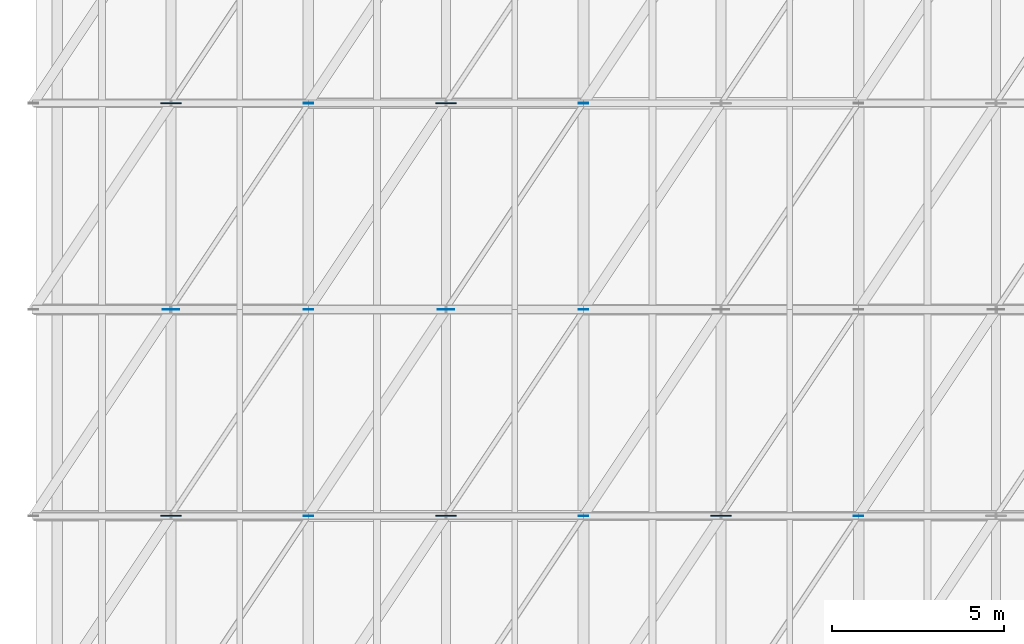
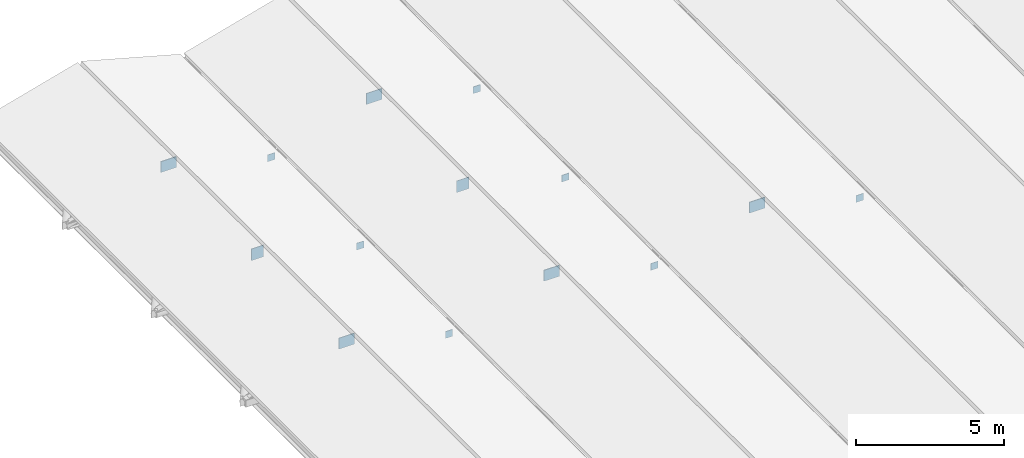
# One storey, part 14 of 27: 14 plates.
"""IFC4 building model written with IfcOpenShell, lengths in metres."""

import ifcopenshell
import ifcopenshell.guid

model = None  # the IFC model being written
_history = None  # IfcOwnerHistory: only IFC2X3 demands one
_inside = {}  # id of a spatial element -> (the spatial element, [elements in it])
_under = {}  # id of a project, library or spatial element -> (it, [spatial elements below it])
_declared = {}  # id of a project -> (the project, [libraries it declares])
_typed = {}  # id of a type object -> (the type object, [elements of that type])
_made_of = {}  # id of a material, layer set ... -> (it, [elements and type objects made of it])


def new_model(schema):
    """Start an empty IFC model of exactly this schema.

    Asked for "IFC4X3", IfcOpenShell would pick the latest addendum, in which some entities
    have other attributes; the version numbers below select the first issue.
    IFC2X3 requires an IfcOwnerHistory on every rooted entity: one is made here for all.
    """
    global model, _history
    if schema == "IFC4X3":
        model = ifcopenshell.file(schema_version=(4, 3, 0, 0))
    else:
        model = ifcopenshell.file(schema=schema)
    _inside.clear()
    _under.clear()
    _declared.clear()
    _typed.clear()
    _made_of.clear()
    _history = None
    if model.schema == "IFC2X3":
        org = make("IfcOrganization", Name="unknown")
        user = make(
            "IfcPersonAndOrganization",
            ThePerson=make("IfcPerson", FamilyName="unknown"),
            TheOrganization=org,
        )
        app = make(
            "IfcApplication",
            ApplicationDeveloper=org,
            Version="unknown",
            ApplicationFullName="unknown",
            ApplicationIdentifier="unknown",
        )
        _history = make(
            "IfcOwnerHistory",
            OwningUser=user,
            OwningApplication=app,
            ChangeAction="ADDED",
            CreationDate=0,
        )
    return model


def make(cls, **values):
    """One entity of the class cls with the attributes given. An attribute that is None is left unset."""
    return model.create_entity(
        cls, **{name: value for name, value in values.items() if value is not None}
    )


def rooted(cls, **values):
    """An entity with a GlobalId (a new one), such as an element, a storey or a relation."""
    return make(cls, GlobalId=ifcopenshell.guid.new(), OwnerHistory=_history, **values)


def si_unit(unit_type, name, prefix=None):
    """IfcSIUnit, for example si_unit("LENGTHUNIT", "METRE", prefix="MILLI")."""
    return make("IfcSIUnit", UnitType=unit_type, Prefix=prefix, Name=name)


def assignment(units):
    """IfcUnitAssignment: the units of a project."""
    return None if units is None else make("IfcUnitAssignment", Units=units)


def point(xyz):
    """IfcCartesianPoint."""
    return None if xyz is None else make("IfcCartesianPoint", Coordinates=xyz)


def direction(xyz):
    """IfcDirection."""
    return None if xyz is None else make("IfcDirection", DirectionRatios=xyz)


def frame(location, z_axis=None, x_axis=None):
    """IfcAxis2Placement3D, a coordinate frame: its origin and axes. An axis left out is left unset."""
    return make(
        "IfcAxis2Placement3D",
        Location=point(location),
        Axis=direction(z_axis),
        RefDirection=direction(x_axis),
    )


def frame_2d(location, x_axis=None):
    """IfcAxis2Placement2D, a coordinate frame in the plane: its origin and x axis."""
    return make(
        "IfcAxis2Placement2D", Location=point(location), RefDirection=direction(x_axis)
    )


def origin():
    """The frame at (0, 0, 0) with its axes left unset."""
    return frame((0.0, 0.0, 0.0))


def origin_2d():
    """The frame at (0, 0) in the plane with its x axis left unset."""
    return frame_2d((0.0, 0.0))


def place(relative_to, where):
    """IfcLocalPlacement: puts the frame where relative to a parent placement (None: the world)."""
    return make(
        "IfcLocalPlacement", PlacementRelTo=relative_to, RelativePlacement=where
    )


def context(
    kind, dimensions, precision=None, world=None, true_north=None, identifier=None
):
    """IfcGeometricRepresentationContext, for example the 3D "Model" context."""
    return make(
        "IfcGeometricRepresentationContext",
        ContextIdentifier=identifier,
        ContextType=kind,
        CoordinateSpaceDimension=dimensions,
        Precision=precision,
        WorldCoordinateSystem=world,
        TrueNorth=true_north,
    )


def subcontext(parent, identifier, kind, view, scale=None):
    """IfcGeometricRepresentationSubContext, for example "Body" below "Model"."""
    return make(
        "IfcGeometricRepresentationSubContext",
        ContextIdentifier=identifier,
        ContextType=kind,
        ParentContext=parent,
        TargetScale=scale,
        TargetView=view,
    )


def project(units=None, contexts=None):
    """IfcProject with its units and contexts."""
    return rooted(
        "IfcProject",
        Name="project",
        RepresentationContexts=contexts,
        UnitsInContext=assignment(units),
    )


def spatial(cls, under=None, at=None, **own):
    """A site, building, storey or space (cls), placed at a placement, below another one or the project."""
    s = rooted(cls, ObjectPlacement=at, **own)
    if under is not None:
        _under.setdefault(under.id(), (under, []))[1].append(s)
    return s


def profile(cls, at=None, kind="AREA", **sizes):
    """A parametric profile (cls). Its sizes go by their IFC names, for example OverallWidth=200.0."""
    return make(cls, ProfileType=kind, Position=at, **sizes)


def rectangle(**sizes):
    """IfcRectangleProfileDef."""
    return profile("IfcRectangleProfileDef", **sizes)


def extrude(swept, where, along, depth):
    """IfcExtrudedAreaSolid: the profile swept, set in the frame where, extruded along a direction by depth."""
    return make(
        "IfcExtrudedAreaSolid",
        SweptArea=swept,
        Position=where,
        ExtrudedDirection=direction(along),
        Depth=depth,
    )


def shape(context_of_items, identifier, shape_type, items):
    """IfcShapeRepresentation: the items that make up one representation, for example the "Body"."""
    return make(
        "IfcShapeRepresentation",
        ContextOfItems=context_of_items,
        RepresentationIdentifier=identifier,
        RepresentationType=shape_type,
        Items=items,
    )


def material(Name=None, Category=None):
    """IfcMaterial."""
    return make("IfcMaterial", Name=Name, Category=Category)


def layer(
    of_material, thickness, ventilated=None, Name=None, Category=None, Priority=None
):
    """IfcMaterialLayer: one layer of a wall or slab, of a material (None: an air gap)."""
    return make(
        "IfcMaterialLayer",
        Material=of_material,
        LayerThickness=thickness,
        IsVentilated=ventilated,
        Name=Name,
        Category=Category,
        Priority=Priority,
    )


def layer_set(layers, Name=None):
    """IfcMaterialLayerSet."""
    return make("IfcMaterialLayerSet", MaterialLayers=layers, LayerSetName=Name)


def made_of(thing, what):
    """Note that an element or type object is made of a material, layer set ...; save() writes the relation."""
    if what is not None:
        _made_of.setdefault(what.id(), (what, []))[1].append(thing)
    return thing


def type_object(cls, material=None, **own):
    """A type object (cls), such as IfcWallType, which elements share."""
    return made_of(rooted(cls, **own), material)


def element(
    cls,
    number,
    at=None,
    inside=None,
    cuts=None,
    type_object=None,
    material=None,
    context=None,
    identifier="Body",
    shape_type=None,
    held_by="IfcProductDefinitionShape",
    body=None,
    shapes=None,
    **own,
):
    """One element of the class cls, such as IfcWall. Its Tag is "e" and its number.

    at: its placement. inside: the storey or other place that contains it. cuts: it is an
    opening in that element (IfcRelVoidsElement). A single representation is given by context,
    identifier, shape_type and body (its items); several are given by shapes. held_by: the class
    of the entity that holds the representations. save() writes the other relations.
    """
    e = rooted(cls, Tag="e%d" % number, ObjectPlacement=at, **own)
    if body is not None:
        shapes = [shape(context, identifier, shape_type, body)]
    if shapes is not None:
        e.Representation = make(held_by, Representations=shapes)
    if inside is not None:
        _inside.setdefault(inside.id(), (inside, []))[1].append(e)
    if cuts is not None:
        rooted(
            "IfcRelVoidsElement", RelatingBuildingElement=cuts, RelatedOpeningElement=e
        )
    if type_object is not None:
        _typed.setdefault(type_object.id(), (type_object, []))[1].append(e)
    return made_of(e, material)


def aggregate(whole, parts):
    """IfcRelAggregates: a whole, such as a stair, and the parts it consists of."""
    return rooted("IfcRelAggregates", RelatingObject=whole, RelatedObjects=parts)


def save(model, path):
    """Write the relations noted so far, then the file.

    IfcRelAggregates (storeys below a building ...), IfcRelContainedInSpatialStructure (elements
    in a storey), IfcRelDefinesByType, IfcRelAssociatesMaterial and IfcRelDeclares: one each for
    every whole, place, type object, material and project.
    """
    for whole, parts in _under.values():
        aggregate(whole, parts)
    for where, things in _inside.values():
        rooted(
            "IfcRelContainedInSpatialStructure",
            RelatedElements=things,
            RelatingStructure=where,
        )
    for kind, things in _typed.values():
        rooted("IfcRelDefinesByType", RelatedObjects=things, RelatingType=kind)
    for what, things in _made_of.values():
        rooted("IfcRelAssociatesMaterial", RelatedObjects=things, RelatingMaterial=what)
    for by, libraries in _declared.values():
        rooted("IfcRelDeclares", RelatingContext=by, RelatedDefinitions=libraries)
    model.write(path)


model = new_model("IFC4")

# Units and contexts
model_context = context("Model", 3, precision=1e-05, world=origin(), true_north=direction((0.0, 1.0)))
body_context = subcontext(model_context, "Body", "Model", "MODEL_VIEW")
ifc_project = project(units=[si_unit("LENGTHUNIT", "METRE"), si_unit("AREAUNIT", "SQUARE_METRE"), si_unit("VOLUMEUNIT", "CUBIC_METRE"), si_unit("PLANEANGLEUNIT", "RADIAN"), si_unit("MASSUNIT", "GRAM", prefix="KILO")], contexts=[model_context])

# Site, building, storey
site_placement = place(None, origin())
site = spatial("IfcSite", under=ifc_project, at=site_placement, CompositionType="ELEMENT")
building_placement = place(site_placement, origin())
building = spatial("IfcBuilding", under=site, at=building_placement, Name="Verrall Gate Interchange", CompositionType="ELEMENT")
storey_placement = place(building_placement, frame((0.0, 0.0, 32.800048828125)))
storey = spatial("IfcBuildingStorey", under=building, at=storey_placement, Name="RF", CompositionType="ELEMENT", Elevation=32.800048828125)

# Plates
ifc_material_1 = material(Name="Structural Steel CSA G40.21 350WT Cat 4", Category="steel")
ifc_layer_1 = layer(ifc_material_1, 0.02001953125)
ifc_layer_set_1 = layer_set([ifc_layer_1], Name="Structural Steel CSA G40.21 350WT Cat 4")
plate_type_1 = type_object("IfcPlateType", Name="GP-01 Gusset Plate 20", PredefinedType="SHEET", material=ifc_layer_set_1)
plate_1_placement = place(storey_placement, frame((40.0, 36.0, -15.9482421875), z_axis=(0.0, 0.0, 1.0), x_axis=(1.0, 0.0, 0.0)))
element("IfcPlate", 1, at=plate_1_placement, inside=storey, type_object=plate_type_1, Name="Folded-Plate Ridge Gusset Node KN-R1-4", PredefinedType="SHEET", context=body_context, shape_type="SweptSolid", body=[
    extrude(rectangle(XDim=0.47998046875, YDim=0.02001953125, at=origin_2d()), origin(), (0.0, 0.0, 1.0), 0.47998046875),
])
plate_2_placement = place(storey_placement, frame((44.0, 30.0, -16.9482421875), z_axis=(0.0, 0.0, 1.0), x_axis=(1.0, 0.0, 0.0)))
element("IfcPlate", 2, at=plate_2_placement, inside=storey, type_object=plate_type_1, Name="Folded-Plate Valley Gusset Node KN-V2-0-3", PredefinedType="SHEET", context=body_context, shape_type="SweptSolid", body=[
    extrude(rectangle(XDim=0.280029296875, YDim=0.02001953125, at=origin_2d()), origin(), (0.0, 0.0, 1.0), 0.280029296875),
])
plate_3_placement = place(storey_placement, frame((48.0, 36.0, -15.9482421875), z_axis=(0.0, 0.0, 1.0), x_axis=(1.0, 0.0, 0.0)))
element("IfcPlate", 3, at=plate_3_placement, inside=storey, type_object=plate_type_1, Name="Folded-Plate Ridge Gusset Node KN-R2-4", PredefinedType="SHEET", context=body_context, shape_type="SweptSolid", body=[
    extrude(rectangle(XDim=0.47998046875, YDim=0.02001953125, at=origin_2d()), origin(), (0.0, 0.0, 1.0), 0.47998046875),
])
for number, where, z_axis, x_axis, name in (
    (4, (44.0, 36.0, -16.9482421875), (0.0, 0.0, 1.0), (1.0, 0.0, 0.0), "Folded-Plate Valley Gusset Node KN-V2-0-4"),
    (5, (44.0, 42.0, -16.9482421875), (0.0, 0.0, 1.0), (1.0, 0.0, 0.0), "Folded-Plate Valley Gusset Node KN-V2-0-5"),
    (6, (52.0, 30.0, -16.9482421875), (0.0, 0.0, 1.0), (1.0, 0.0, 0.0), "Folded-Plate Valley Gusset Node KN-V3-0-3"),
    (7, (52.0, 36.0, -16.9482421875), (0.0, 0.0, 1.0), (1.0, 0.0, 0.0), "Folded-Plate Valley Gusset Node KN-V3-0-4"),
    (8, (52.0, 42.0, -16.9482421875), (0.0, 0.0, 1.0), (1.0, 0.0, 0.0), "Folded-Plate Valley Gusset Node KN-V3-0-5"),
    (9, (60.0, 30.0, -16.9482421875), (0.0, 0.0, 1.0), (1.0, 0.0, 0.0), "Folded-Plate Valley Gusset Node KN-V4-0-3"),
):
    element("IfcPlate", number, at=place(storey_placement, frame(where, z_axis=z_axis, x_axis=x_axis)), inside=storey, type_object=plate_type_1, Name=name, PredefinedType="SHEET", context=body_context, shape_type="SweptSolid", body=[
        extrude(rectangle(XDim=0.280029296875, YDim=0.02001953125, at=origin_2d()), origin(), (0.0, 0.0, 1.0), 0.280029296875),
    ])
ifc_material_2 = material(Name="Structural Steel CSA G40.21 350WT Cat 4", Category="steel")
ifc_layer_2 = layer(ifc_material_2, 0.030029296875)
ifc_layer_set_2 = layer_set([ifc_layer_2], Name="Structural Steel CSA G40.21 350WT Cat 4")
plate_type_2 = type_object("IfcPlateType", Name="GP-02 Gusset Plate 30", PredefinedType="SHEET", material=ifc_layer_set_2)
for number, where, z_axis, x_axis, name in (
    (10, (40.0, 30.0, -15.93310546875), (0.0, 0.0, 1.0), (1.0, 0.0, 0.0), "Folded-Plate Ridge Gusset Node KN-R1-3"),
    (11, (40.0, 42.0, -15.93310546875), (0.0, 0.0, 1.0), (1.0, 0.0, 0.0), "Folded-Plate Ridge Gusset Node KN-R1-5"),
    (12, (48.0, 30.0, -15.93310546875), (0.0, 0.0, 1.0), (1.0, 0.0, 0.0), "Folded-Plate Ridge Gusset Node KN-R2-3"),
    (13, (48.0, 42.0, -15.93310546875), (0.0, 0.0, 1.0), (1.0, 0.0, 0.0), "Folded-Plate Ridge Gusset Node KN-R2-5"),
    (14, (56.0, 30.0, -15.93310546875), (0.0, 0.0, 1.0), (1.0, 0.0, 0.0), "Folded-Plate Ridge Gusset Node KN-R3-3"),
):
    element("IfcPlate", number, at=place(storey_placement, frame(where, z_axis=z_axis, x_axis=x_axis)), inside=storey, type_object=plate_type_2, Name=name, PredefinedType="SHEET", context=body_context, shape_type="SweptSolid", body=[
        extrude(rectangle(XDim=0.60009765625, YDim=0.030029296875, at=origin_2d()), origin(), (0.0, 0.0, 1.0), 0.449951171875),
    ])

save(model, "model.ifc")
